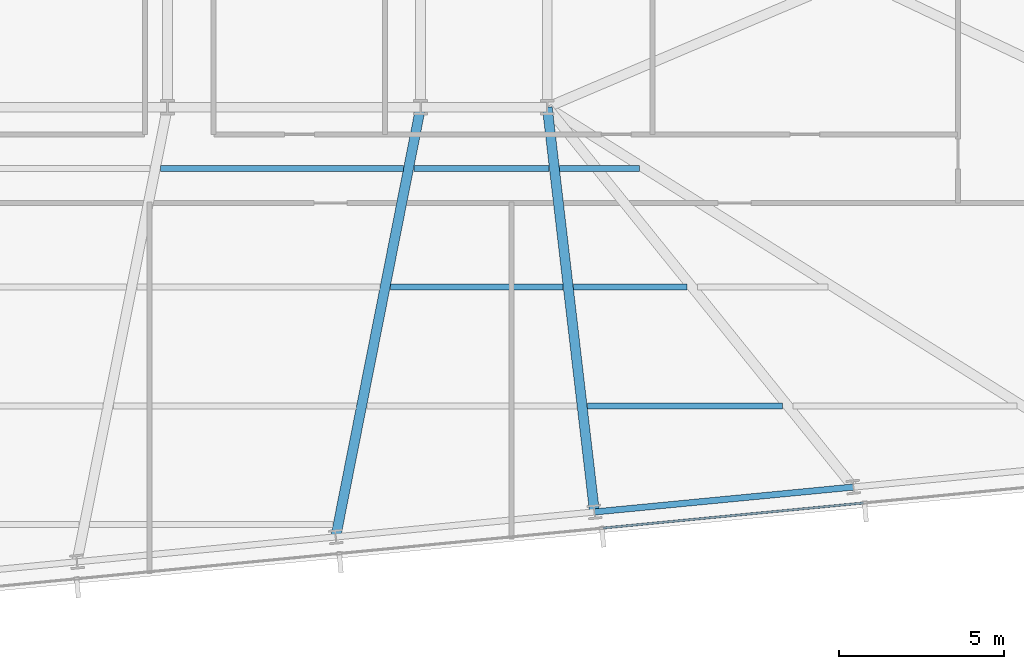
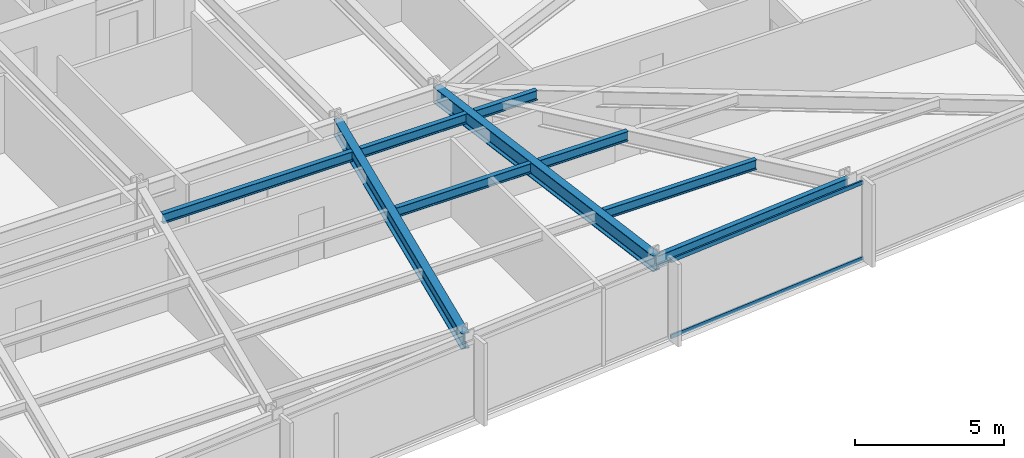
# One storey, part 11 of 32: 9 beams, 2 members, 1 element without a shape of its own.
"""IFC4 building model written with IfcOpenShell, lengths in metres."""

from ifc_helpers import new_model, si_unit, direction, frame, origin, origin_2d, place, context, subcontext, project, spatial, hollow_rectangle, i_section, extrude, material, material_profile, profile_set, type_object, element, aggregate, save


model = new_model("IFC4")

# Units and contexts
model_context = context("Model", 3, precision=1e-05, world=origin(), true_north=direction((0.0, 1.0)))
body_context = subcontext(model_context, "Body", "Model", "MODEL_VIEW")
ifc_project = project(units=[si_unit("LENGTHUNIT", "METRE"), si_unit("AREAUNIT", "SQUARE_METRE"), si_unit("VOLUMEUNIT", "CUBIC_METRE"), si_unit("PLANEANGLEUNIT", "RADIAN"), si_unit("MASSUNIT", "GRAM", prefix="KILO")], contexts=[model_context])

# Site, building, storey
site_placement = place(None, origin())
site = spatial("IfcSite", under=ifc_project, at=site_placement, CompositionType="ELEMENT")
building_placement = place(site_placement, origin())
building = spatial("IfcBuilding", under=site, at=building_placement, Name="Yelkora Congress Tower", CompositionType="ELEMENT")
storey_placement = place(building_placement, frame((0.0, 0.0, 103.300048828125)))
storey = spatial("IfcBuildingStorey", under=building, at=storey_placement, Name="L27", CompositionType="ELEMENT", Elevation=103.300048828125)

# Beams
ifc_material_1 = material(Name="Steel S355J2", Category="steel")
ifc_material_profile_1 = material_profile(ifc_material_1, i_section(OverallWidth=0.300048828125, OverallDepth=0.64990234375, WebThickness=0.01611328125, FlangeThickness=0.031005859375, FilletRadius=0.027099609375, at=origin_2d()), Name="HEB 650")
ifc_profile_set_1 = profile_set([ifc_material_profile_1], Name="Steel S355J2")
beam_type_1 = type_object("IfcBeamType", Name="BM-GIRD-HEB650", PredefinedType="BEAM", material=ifc_profile_set_1)
beam_1_placement = place(storey_placement, frame((51.18359375, 12.16748046875, 2.85498046875), z_axis=(0.193938615251, 0.981013666324, 0.0), x_axis=(-0.981013666324, 0.193938615251, 0.0)))
element("IfcBeam", 1, at=beam_1_placement, inside=storey, type_object=beam_type_1, Name="L27 Primary Frame Girder S05", PredefinedType="BEAM", context=body_context, shape_type="SweptSolid", body=[
    extrude(i_section(OverallWidth=0.300048828125, OverallDepth=0.64990234375, WebThickness=0.01611328125, FlangeThickness=0.031005859375, FilletRadius=0.027099609375, at=origin_2d()), origin(), (0.0, 0.0, 1.0), 13.28466796875),
])
beam_2_placement = place(storey_placement, frame((59.033203125, 12.92333984375, 2.85498046875), z_axis=(-0.115947280821, 0.993255369011, 0.0), x_axis=(-0.993255369011, -0.115947280821, 0.0)))
element("IfcBeam", 2, at=beam_2_placement, inside=storey, type_object=beam_type_1, Name="L27 Primary Frame Girder S06", PredefinedType="BEAM", context=body_context, shape_type="SweptSolid", body=[
    extrude(i_section(OverallWidth=0.300048828125, OverallDepth=0.64990234375, WebThickness=0.01611328125, FlangeThickness=0.031005859375, FilletRadius=0.027099609375, at=origin_2d()), origin(), (0.0, 0.0, 1.0), 12.35986328125),
])
ifc_material_profile_2 = material_profile(ifc_material_1, i_section(OverallWidth=0.179931640625, OverallDepth=0.39990234375, WebThickness=0.008544921875, FlangeThickness=0.013427734375, FilletRadius=0.02099609375, at=origin_2d()), Name="IPE 400")
ifc_profile_set_2 = profile_set([ifc_material_profile_2], Name="Steel S355J2")
beam_type_2 = type_object("IfcBeamType", Name="BM-JOIST-IPE400", PredefinedType="JOIST", material=ifc_profile_set_2)
beam_3_placement = place(storey_placement, frame((58.817138671875, 16.144287109375, 2.97998046875), z_axis=(1.0, 0.0, 0.0), x_axis=(0.0, 1.0, 0.0)))
element("IfcBeam", 3, at=beam_3_placement, inside=storey, type_object=beam_type_2, Name="L27 Composite Floor Joist 9", PredefinedType="JOIST", context=body_context, shape_type="SweptSolid", body=[
    extrude(i_section(OverallWidth=0.179931640625, OverallDepth=0.39990234375, WebThickness=0.008544921875, FlangeThickness=0.013427734375, FilletRadius=0.02099609375, at=origin_2d()), origin(), (0.0, 0.0, 1.0), 5.919189453125),
])
beam_4_placement = place(storey_placement, frame((52.841552734375, 19.744384765625, 2.97998046875), z_axis=(1.0, 0.0, 0.0), x_axis=(0.0, 1.0, 0.0)))
element("IfcBeam", 4, at=beam_4_placement, inside=storey, type_object=beam_type_2, Name="L27 Composite Floor Joist 15", PredefinedType="JOIST", context=body_context, shape_type="SweptSolid", body=[
    extrude(i_section(OverallWidth=0.179931640625, OverallDepth=0.39990234375, WebThickness=0.008544921875, FlangeThickness=0.013427734375, FilletRadius=0.02099609375, at=origin_2d()), origin(), (0.0, 0.0, 1.0), 5.2353515625),
])
beam_5_placement = place(storey_placement, frame((58.39697265625, 19.744384765625, 2.97998046875), z_axis=(1.0, 0.0, 0.0), x_axis=(0.0, 1.0, 0.0)))
element("IfcBeam", 5, at=beam_5_placement, inside=storey, type_object=beam_type_2, Name="L27 Composite Floor Joist 16", PredefinedType="JOIST", context=body_context, shape_type="SweptSolid", body=[
    extrude(i_section(OverallWidth=0.179931640625, OverallDepth=0.39990234375, WebThickness=0.008544921875, FlangeThickness=0.013427734375, FilletRadius=0.02099609375, at=origin_2d()), origin(), (0.0, 0.0, 1.0), 3.438720703125),
])
beam_6_placement = place(storey_placement, frame((45.87060546875, 23.344482421875, 2.97998046875), z_axis=(1.0, 0.0, 0.0), x_axis=(0.0, 1.0, 0.0)))
element("IfcBeam", 6, at=beam_6_placement, inside=storey, type_object=beam_type_2, Name="L27 Composite Floor Joist 21", PredefinedType="JOIST", context=body_context, shape_type="SweptSolid", body=[
    extrude(i_section(OverallWidth=0.179931640625, OverallDepth=0.39990234375, WebThickness=0.008544921875, FlangeThickness=0.013427734375, FilletRadius=0.02099609375, at=origin_2d()), origin(), (0.0, 0.0, 1.0), 7.362548828125),
])
beam_7_placement = place(storey_placement, frame((53.55322265625, 23.344482421875, 2.97998046875), z_axis=(1.0, 0.0, 0.0), x_axis=(0.0, 1.0, 0.0)))
element("IfcBeam", 7, at=beam_7_placement, inside=storey, type_object=beam_type_2, Name="L27 Composite Floor Joist 22", PredefinedType="JOIST", context=body_context, shape_type="SweptSolid", body=[
    extrude(i_section(OverallWidth=0.179931640625, OverallDepth=0.39990234375, WebThickness=0.008544921875, FlangeThickness=0.013427734375, FilletRadius=0.02099609375, at=origin_2d()), origin(), (0.0, 0.0, 1.0), 4.103271484375),
])
beam_8_placement = place(storey_placement, frame((57.9765625, 23.344482421875, 2.97998046875), z_axis=(1.0, 0.0, 0.0), x_axis=(0.0, 1.0, 0.0)))
element("IfcBeam", 8, at=beam_8_placement, inside=storey, type_object=beam_type_2, Name="L27 Composite Floor Joist 23", PredefinedType="JOIST", context=body_context, shape_type="SweptSolid", body=[
    extrude(i_section(OverallWidth=0.179931640625, OverallDepth=0.39990234375, WebThickness=0.008544921875, FlangeThickness=0.013427734375, FilletRadius=0.02099609375, at=origin_2d()), origin(), (0.0, 0.0, 1.0), 2.41650390625),
])
ifc_material_profile_3 = material_profile(ifc_material_1, i_section(OverallWidth=0.18994140625, OverallDepth=0.449951171875, WebThickness=0.009521484375, FlangeThickness=0.0146484375, FilletRadius=0.02099609375, at=origin_2d()), Name="IPE 450")
ifc_profile_set_3 = profile_set([ifc_material_profile_3], Name="Steel S355J2")
beam_type_3 = type_object("IfcBeamType", Name="BM-SPAN-IPE450", PredefinedType="SPANDREL", material=ifc_profile_set_3)
beam_9_placement = place(storey_placement, frame((59.033203125, 12.92333984375, 2.954833984375), z_axis=(0.995395575667, 0.095852219286, 0.0), x_axis=(-0.095852219286, 0.995395575667, 0.0)))
element("IfcBeam", 9, at=beam_9_placement, inside=storey, type_object=beam_type_3, Name="L27 Perimeter Beam 8", PredefinedType="SPANDREL", context=body_context, shape_type="SweptSolid", body=[
    extrude(i_section(OverallWidth=0.18994140625, OverallDepth=0.449951171875, WebThickness=0.009521484375, FlangeThickness=0.0146484375, FilletRadius=0.02099609375, at=origin_2d()), origin(), (0.0, 0.0, 1.0), 7.8857421875),
])

# Curtain wall, members
ifc_material_2 = material(Name="Anodised aluminium and insulated glass", Category="aluminium")
curtain_wall_type = type_object("IfcCurtainWallType", Name="CW-SYS-B2", PredefinedType="NOTDEFINED", material=ifc_material_2)
curtain_wall_placement = place(storey_placement, origin())
curtain_wall = element("IfcCurtainWall", 10, at=curtain_wall_placement, inside=storey, type_object=curtain_wall_type, Name="L27 Unitised Curtain Wall 20", PredefinedType="NOTDEFINED")
ifc_material_3 = material(Name="Anodised aluminium 6063-T6", Category="aluminium")
ifc_material_profile_4 = material_profile(ifc_material_3, hollow_rectangle(XDim=0.06494140625, YDim=0.159912109375, WallThickness=0.00390625, at=origin_2d()), Name="ALU 65x160x4")
ifc_profile_set_4 = profile_set([ifc_material_profile_4], Name="Anodised aluminium 6063-T6")
member_type = type_object("IfcMemberType", Name="MEM-TR-B2", PredefinedType="USERDEFINED", material=ifc_profile_set_4)
member_1_placement = place(storey_placement, frame((67.18798828125, 13.1962890625, 0.032470703125), z_axis=(-0.995397293396, -0.095834379534, 0.0), x_axis=(0.095834379534, -0.995397293396, 0.0)))
member_1 = element("IfcMember", 11, at=member_1_placement, type_object=member_type, Name="CW-B2 transom 2.1", ObjectType="TRANSOM", PredefinedType="USERDEFINED", context=body_context, shape_type="SweptSolid", body=[
    extrude(hollow_rectangle(XDim=0.06494140625, YDim=0.159912109375, WallThickness=0.00390625, at=origin_2d()), origin(), (0.0, 0.0, 1.0), 7.93310546875),
])
member_2_placement = place(storey_placement, frame((67.18798828125, 13.1962890625, 3.1474609375), z_axis=(-0.995397293396, -0.095834379534, 0.0), x_axis=(0.095834379534, -0.995397293396, 0.0)))
member_2 = element("IfcMember", 12, at=member_2_placement, type_object=member_type, Name="CW-B2 transom 2.2", ObjectType="TRANSOM", PredefinedType="USERDEFINED", context=body_context, shape_type="SweptSolid", body=[
    extrude(hollow_rectangle(XDim=0.06494140625, YDim=0.159912109375, WallThickness=0.00390625, at=origin_2d()), origin(), (0.0, 0.0, 1.0), 7.93310546875),
])
aggregate(curtain_wall, [member_1, member_2])

save(model, "model.ifc")
